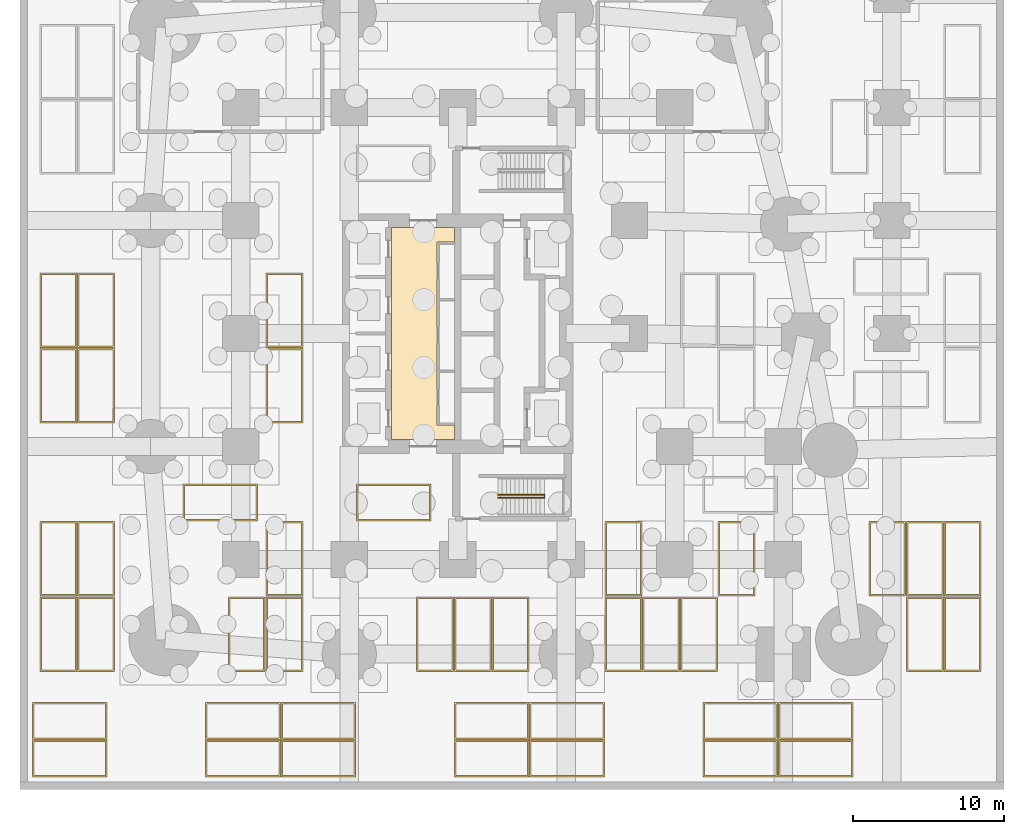
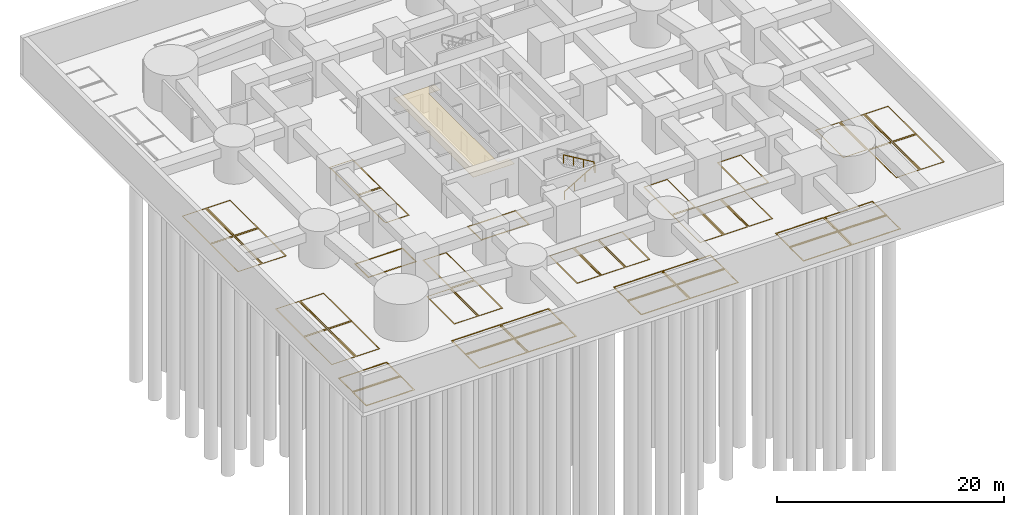
# One storey, part 8 of 10: 43 coverings, 1 railing.
"""IFC4 building model written with IfcOpenShell, lengths in metres."""

from ifc_helpers import new_model, si_unit, direction, frame, origin, origin_2d, place, context, subcontext, project, spatial, polyline, circle, outline, extrude, material, layer, layer_set, type_object, element, save


model = new_model("IFC4")

# Units and contexts
model_context = context("Model", 3, precision=1e-05, world=origin(), true_north=direction((0.0, 1.0)))
body_context = subcontext(model_context, "Body", "Model", "MODEL_VIEW")
ifc_project = project(units=[si_unit("LENGTHUNIT", "METRE"), si_unit("AREAUNIT", "SQUARE_METRE"), si_unit("VOLUMEUNIT", "CUBIC_METRE"), si_unit("PLANEANGLEUNIT", "RADIAN"), si_unit("MASSUNIT", "GRAM", prefix="KILO")], contexts=[model_context])

# Site, building, storey
site_placement = place(None, origin())
site = spatial("IfcSite", under=ifc_project, at=site_placement, CompositionType="ELEMENT")
building_placement = place(site_placement, origin())
building = spatial("IfcBuilding", under=site, at=building_placement, Name="Sheger Commons Tower", CompositionType="ELEMENT")
storey_placement = place(building_placement, frame((0.0, 0.0, -8.0)))
storey = spatial("IfcBuildingStorey", under=building, at=storey_placement, Name="B2", CompositionType="ELEMENT", Elevation=-8.0)

# Railing
ifc_material_1 = material(Name="Steel handrail, black powder-coated", Category="steel")
railing_type = type_object("IfcRailingType", Name="HANDRAIL 900", PredefinedType="HANDRAIL", material=ifc_material_1)
railing_placement = place(storey_placement, frame((24.27001953125, 11.60009765625, 0.166748046875)))
element("IfcRailing", 1, at=railing_placement, inside=storey, type_object=railing_type, Name="Stair S1 handrail B2", PredefinedType="HANDRAIL", context=body_context, shape_type="SweptSolid", body=[
    extrude(circle(Radius=0.02392578125, at=origin_2d()), frame((0.0, 0.0, 0.8759765625), z_axis=(0.859308565015, 0.0, 0.511457515432), x_axis=(0.0, 1.0, 0.0)), (0.0, 0.0, 1.0), 3.58447265625),
    extrude(circle(Radius=0.02392578125, at=origin_2d()), frame((3.080078125, 0.0, 2.708984375), z_axis=(0.0, 0.767990643491, 0.640461061666), x_axis=(-1.0, 0.0, 0.0)), (0.0, 0.0, 1.0), 0.26025390625),
    extrude(circle(Radius=0.02392578125, at=origin_2d()), frame((3.080078125, 0.199951171875, 2.8759765625), z_axis=(-0.859308565015, 0.0, 0.511457515432), x_axis=(0.0, -1.0, 0.0)), (0.0, 0.0, 1.0), 3.58447265625),
    extrude(circle(Radius=0.02099609375, at=origin_2d()), origin(), (0.0, 0.0, 1.0), 0.851806640625),
    extrude(circle(Radius=0.02099609375, at=origin_2d()), frame((1.026611328125, 0.0, 0.611083984375)), (0.0, 0.0, 1.0), 0.851806640625),
    extrude(circle(Radius=0.02099609375, at=origin_2d()), frame((2.053466796875, 0.0, 1.22216796875)), (0.0, 0.0, 1.0), 0.851806640625),
    extrude(circle(Radius=0.02099609375, at=origin_2d()), frame((3.080078125, 0.0, 1.833251953125)), (0.0, 0.0, 1.0), 0.851806640625),
    extrude(circle(Radius=0.02099609375, at=origin_2d()), frame((3.080078125, 0.199951171875, 2.0)), (0.0, 0.0, 1.0), 0.851806640625),
    extrude(circle(Radius=0.02099609375, at=origin_2d()), frame((2.053466796875, 0.199951171875, 2.611083984375)), (0.0, 0.0, 1.0), 0.851806640625),
    extrude(circle(Radius=0.02099609375, at=origin_2d()), frame((1.026611328125, 0.199951171875, 3.22216796875)), (0.0, 0.0, 1.0), 0.851806640625),
    extrude(circle(Radius=0.02099609375, at=origin_2d()), frame((0.0, 0.199951171875, 3.833251953125)), (0.0, 0.0, 1.0), 0.851806640625),
])

# Coverings
ifc_material_2 = material(Name="Thermoplastic road marking, white")
ifc_layer_1 = layer(ifc_material_2, 0.0048828125)
ifc_layer_set_1 = layer_set([ifc_layer_1], Name="PARKING BAY MARKING")
covering_type_1 = type_object("IfcCoveringType", Name="PARKING BAY MARKING", PredefinedType="FLOORING", material=ifc_layer_set_1)
covering_1_placement = place(storey_placement, origin())
element("IfcCovering", 2, at=covering_1_placement, inside=storey, type_object=covering_type_1, Name="Parking bay B2-001 marking", PredefinedType="FLOORING", context=body_context, shape_type="SweptSolid", body=[
    extrude(outline(polyline([(-6.625, -6.925048828125), (-1.675048828125, -6.925048828125), (-1.675048828125, -4.47509765625), (-6.625, -4.47509765625), (-6.625, -6.925048828125)]), holes=[polyline([(-1.77490234375, -4.574951171875), (-1.77490234375, -6.824951171875), (-6.52490234375, -6.824951171875), (-6.52490234375, -4.574951171875), (-1.77490234375, -4.574951171875)])]), origin(), (0.0, 0.0, 1.0), 0.0048828125),
])
covering_2_placement = place(storey_placement, origin())
element("IfcCovering", 3, at=covering_2_placement, inside=storey, type_object=covering_type_1, Name="Parking bay B2-002 marking", PredefinedType="FLOORING", context=body_context, shape_type="SweptSolid", body=[
    extrude(outline(polyline([(4.875, -6.925048828125), (9.824951171875, -6.925048828125), (9.824951171875, -4.47509765625), (4.875, -4.47509765625), (4.875, -6.925048828125)]), holes=[polyline([(9.72509765625, -4.574951171875), (9.72509765625, -6.824951171875), (4.97509765625, -6.824951171875), (4.97509765625, -4.574951171875), (9.72509765625, -4.574951171875)])]), origin(), (0.0, 0.0, 1.0), 0.0048828125),
])
covering_3_placement = place(storey_placement, origin())
element("IfcCovering", 4, at=covering_3_placement, inside=storey, type_object=covering_type_1, Name="Parking bay B2-003 marking", PredefinedType="FLOORING", context=body_context, shape_type="SweptSolid", body=[
    extrude(outline(polyline([(9.875, -6.925048828125), (14.824951171875, -6.925048828125), (14.824951171875, -4.47509765625), (9.875, -4.47509765625), (9.875, -6.925048828125)]), holes=[polyline([(14.72509765625, -4.574951171875), (14.72509765625, -6.824951171875), (9.97509765625, -6.824951171875), (9.97509765625, -4.574951171875), (14.72509765625, -4.574951171875)])]), origin(), (0.0, 0.0, 1.0), 0.0048828125),
])
covering_4_placement = place(storey_placement, origin())
element("IfcCovering", 5, at=covering_4_placement, inside=storey, type_object=covering_type_1, Name="Parking bay B2-004 marking", PredefinedType="FLOORING", context=body_context, shape_type="SweptSolid", body=[
    extrude(outline(polyline([(21.375, -6.925048828125), (26.324951171875, -6.925048828125), (26.324951171875, -4.47509765625), (21.375, -4.47509765625), (21.375, -6.925048828125)]), holes=[polyline([(26.22509765625, -4.574951171875), (26.22509765625, -6.824951171875), (21.47509765625, -6.824951171875), (21.47509765625, -4.574951171875), (26.22509765625, -4.574951171875)])]), origin(), (0.0, 0.0, 1.0), 0.0048828125),
])
covering_5_placement = place(storey_placement, origin())
element("IfcCovering", 6, at=covering_5_placement, inside=storey, type_object=covering_type_1, Name="Parking bay B2-005 marking", PredefinedType="FLOORING", context=body_context, shape_type="SweptSolid", body=[
    extrude(outline(polyline([(26.375, -6.925048828125), (31.324951171875, -6.925048828125), (31.324951171875, -4.47509765625), (26.375, -4.47509765625), (26.375, -6.925048828125)]), holes=[polyline([(31.22509765625, -4.574951171875), (31.22509765625, -6.824951171875), (26.47509765625, -6.824951171875), (26.47509765625, -4.574951171875), (31.22509765625, -4.574951171875)])]), origin(), (0.0, 0.0, 1.0), 0.0048828125),
])
covering_6_placement = place(storey_placement, origin())
element("IfcCovering", 7, at=covering_6_placement, inside=storey, type_object=covering_type_1, Name="Parking bay B2-006 marking", PredefinedType="FLOORING", context=body_context, shape_type="SweptSolid", body=[
    extrude(outline(polyline([(37.875, -6.925048828125), (42.824951171875, -6.925048828125), (42.824951171875, -4.47509765625), (37.875, -4.47509765625), (37.875, -6.925048828125)]), holes=[polyline([(42.72509765625, -4.574951171875), (42.72509765625, -6.824951171875), (37.97509765625, -6.824951171875), (37.97509765625, -4.574951171875), (42.72509765625, -4.574951171875)])]), origin(), (0.0, 0.0, 1.0), 0.0048828125),
])
covering_7_placement = place(storey_placement, origin())
element("IfcCovering", 8, at=covering_7_placement, inside=storey, type_object=covering_type_1, Name="Parking bay B2-007 marking", PredefinedType="FLOORING", context=body_context, shape_type="SweptSolid", body=[
    extrude(outline(polyline([(42.875, -6.925048828125), (47.824951171875, -6.925048828125), (47.824951171875, -4.47509765625), (42.875, -4.47509765625), (42.875, -6.925048828125)]), holes=[polyline([(47.72509765625, -4.574951171875), (47.72509765625, -6.824951171875), (42.97509765625, -6.824951171875), (42.97509765625, -4.574951171875), (47.72509765625, -4.574951171875)])]), origin(), (0.0, 0.0, 1.0), 0.0048828125),
])
covering_8_placement = place(storey_placement, origin())
element("IfcCovering", 9, at=covering_8_placement, inside=storey, type_object=covering_type_1, Name="Parking bay B2-008 marking", PredefinedType="FLOORING", context=body_context, shape_type="SweptSolid", body=[
    extrude(outline(polyline([(-6.625, -4.425048828125), (-1.675048828125, -4.425048828125), (-1.675048828125, -1.97509765625), (-6.625, -1.97509765625), (-6.625, -4.425048828125)]), holes=[polyline([(-1.77490234375, -2.074951171875), (-1.77490234375, -4.324951171875), (-6.52490234375, -4.324951171875), (-6.52490234375, -2.074951171875), (-1.77490234375, -2.074951171875)])]), origin(), (0.0, 0.0, 1.0), 0.0048828125),
])
covering_9_placement = place(storey_placement, origin())
element("IfcCovering", 10, at=covering_9_placement, inside=storey, type_object=covering_type_1, Name="Parking bay B2-009 marking", PredefinedType="FLOORING", context=body_context, shape_type="SweptSolid", body=[
    extrude(outline(polyline([(4.875, -4.425048828125), (9.824951171875, -4.425048828125), (9.824951171875, -1.97509765625), (4.875, -1.97509765625), (4.875, -4.425048828125)]), holes=[polyline([(9.72509765625, -2.074951171875), (9.72509765625, -4.324951171875), (4.97509765625, -4.324951171875), (4.97509765625, -2.074951171875), (9.72509765625, -2.074951171875)])]), origin(), (0.0, 0.0, 1.0), 0.0048828125),
])
covering_10_placement = place(storey_placement, origin())
element("IfcCovering", 11, at=covering_10_placement, inside=storey, type_object=covering_type_1, Name="Parking bay B2-010 marking", PredefinedType="FLOORING", context=body_context, shape_type="SweptSolid", body=[
    extrude(outline(polyline([(9.875, -4.425048828125), (14.824951171875, -4.425048828125), (14.824951171875, -1.97509765625), (9.875, -1.97509765625), (9.875, -4.425048828125)]), holes=[polyline([(14.72509765625, -2.074951171875), (14.72509765625, -4.324951171875), (9.97509765625, -4.324951171875), (9.97509765625, -2.074951171875), (14.72509765625, -2.074951171875)])]), origin(), (0.0, 0.0, 1.0), 0.0048828125),
])
covering_11_placement = place(storey_placement, origin())
element("IfcCovering", 12, at=covering_11_placement, inside=storey, type_object=covering_type_1, Name="Parking bay B2-011 marking", PredefinedType="FLOORING", context=body_context, shape_type="SweptSolid", body=[
    extrude(outline(polyline([(21.375, -4.425048828125), (26.324951171875, -4.425048828125), (26.324951171875, -1.97509765625), (21.375, -1.97509765625), (21.375, -4.425048828125)]), holes=[polyline([(26.22509765625, -2.074951171875), (26.22509765625, -4.324951171875), (21.47509765625, -4.324951171875), (21.47509765625, -2.074951171875), (26.22509765625, -2.074951171875)])]), origin(), (0.0, 0.0, 1.0), 0.0048828125),
])
covering_12_placement = place(storey_placement, origin())
element("IfcCovering", 13, at=covering_12_placement, inside=storey, type_object=covering_type_1, Name="Parking bay B2-012 marking", PredefinedType="FLOORING", context=body_context, shape_type="SweptSolid", body=[
    extrude(outline(polyline([(26.375, -4.425048828125), (31.324951171875, -4.425048828125), (31.324951171875, -1.97509765625), (26.375, -1.97509765625), (26.375, -4.425048828125)]), holes=[polyline([(31.22509765625, -2.074951171875), (31.22509765625, -4.324951171875), (26.47509765625, -4.324951171875), (26.47509765625, -2.074951171875), (31.22509765625, -2.074951171875)])]), origin(), (0.0, 0.0, 1.0), 0.0048828125),
])
covering_13_placement = place(storey_placement, origin())
element("IfcCovering", 14, at=covering_13_placement, inside=storey, type_object=covering_type_1, Name="Parking bay B2-013 marking", PredefinedType="FLOORING", context=body_context, shape_type="SweptSolid", body=[
    extrude(outline(polyline([(37.875, -4.425048828125), (42.824951171875, -4.425048828125), (42.824951171875, -1.97509765625), (37.875, -1.97509765625), (37.875, -4.425048828125)]), holes=[polyline([(42.72509765625, -2.074951171875), (42.72509765625, -4.324951171875), (37.97509765625, -4.324951171875), (37.97509765625, -2.074951171875), (42.72509765625, -2.074951171875)])]), origin(), (0.0, 0.0, 1.0), 0.0048828125),
])
covering_14_placement = place(storey_placement, origin())
element("IfcCovering", 15, at=covering_14_placement, inside=storey, type_object=covering_type_1, Name="Parking bay B2-014 marking", PredefinedType="FLOORING", context=body_context, shape_type="SweptSolid", body=[
    extrude(outline(polyline([(42.875, -4.425048828125), (47.824951171875, -4.425048828125), (47.824951171875, -1.97509765625), (42.875, -1.97509765625), (42.875, -4.425048828125)]), holes=[polyline([(47.72509765625, -2.074951171875), (47.72509765625, -4.324951171875), (42.97509765625, -4.324951171875), (42.97509765625, -2.074951171875), (47.72509765625, -2.074951171875)])]), origin(), (0.0, 0.0, 1.0), 0.0048828125),
])
covering_15_placement = place(storey_placement, origin())
element("IfcCovering", 16, at=covering_15_placement, inside=storey, type_object=covering_type_1, Name="Parking bay B2-015 marking", PredefinedType="FLOORING", context=body_context, shape_type="SweptSolid", body=[
    extrude(outline(polyline([(-6.125, 0.074951171875), (-3.675048828125, 0.074951171875), (-3.675048828125, 5.02490234375), (-6.125, 5.02490234375), (-6.125, 0.074951171875)]), holes=[polyline([(-3.77490234375, 4.925048828125), (-3.77490234375, 0.175048828125), (-6.02490234375, 0.175048828125), (-6.02490234375, 4.925048828125), (-3.77490234375, 4.925048828125)])]), origin(), (0.0, 0.0, 1.0), 0.0048828125),
])
covering_16_placement = place(storey_placement, origin())
element("IfcCovering", 17, at=covering_16_placement, inside=storey, type_object=covering_type_1, Name="Parking bay B2-016 marking", PredefinedType="FLOORING", context=body_context, shape_type="SweptSolid", body=[
    extrude(outline(polyline([(-3.625, 0.074951171875), (-1.175048828125, 0.074951171875), (-1.175048828125, 5.02490234375), (-3.625, 5.02490234375), (-3.625, 0.074951171875)]), holes=[polyline([(-1.27490234375, 4.925048828125), (-1.27490234375, 0.175048828125), (-3.52490234375, 0.175048828125), (-3.52490234375, 4.925048828125), (-1.27490234375, 4.925048828125)])]), origin(), (0.0, 0.0, 1.0), 0.0048828125),
])
covering_17_placement = place(storey_placement, origin())
element("IfcCovering", 18, at=covering_17_placement, inside=storey, type_object=covering_type_1, Name="Parking bay B2-017 marking", PredefinedType="FLOORING", context=body_context, shape_type="SweptSolid", body=[
    extrude(outline(polyline([(6.375, 0.074951171875), (8.824951171875, 0.074951171875), (8.824951171875, 5.02490234375), (6.375, 5.02490234375), (6.375, 0.074951171875)]), holes=[polyline([(8.72509765625, 4.925048828125), (8.72509765625, 0.175048828125), (6.47509765625, 0.175048828125), (6.47509765625, 4.925048828125), (8.72509765625, 4.925048828125)])]), origin(), (0.0, 0.0, 1.0), 0.0048828125),
])
covering_18_placement = place(storey_placement, origin())
element("IfcCovering", 19, at=covering_18_placement, inside=storey, type_object=covering_type_1, Name="Parking bay B2-018 marking", PredefinedType="FLOORING", context=body_context, shape_type="SweptSolid", body=[
    extrude(outline(polyline([(8.875, 0.074951171875), (11.324951171875, 0.074951171875), (11.324951171875, 5.02490234375), (8.875, 5.02490234375), (8.875, 0.074951171875)]), holes=[polyline([(11.22509765625, 4.925048828125), (11.22509765625, 0.175048828125), (8.97509765625, 0.175048828125), (8.97509765625, 4.925048828125), (11.22509765625, 4.925048828125)])]), origin(), (0.0, 0.0, 1.0), 0.0048828125),
])
covering_19_placement = place(storey_placement, origin())
element("IfcCovering", 20, at=covering_19_placement, inside=storey, type_object=covering_type_1, Name="Parking bay B2-019 marking", PredefinedType="FLOORING", context=body_context, shape_type="SweptSolid", body=[
    extrude(outline(polyline([(18.875, 0.074951171875), (21.324951171875, 0.074951171875), (21.324951171875, 5.02490234375), (18.875, 5.02490234375), (18.875, 0.074951171875)]), holes=[polyline([(21.22509765625, 4.925048828125), (21.22509765625, 0.175048828125), (18.97509765625, 0.175048828125), (18.97509765625, 4.925048828125), (21.22509765625, 4.925048828125)])]), origin(), (0.0, 0.0, 1.0), 0.0048828125),
])
covering_20_placement = place(storey_placement, origin())
element("IfcCovering", 21, at=covering_20_placement, inside=storey, type_object=covering_type_1, Name="Parking bay B2-020 marking", PredefinedType="FLOORING", context=body_context, shape_type="SweptSolid", body=[
    extrude(outline(polyline([(21.375, 0.074951171875), (23.824951171875, 0.074951171875), (23.824951171875, 5.02490234375), (21.375, 5.02490234375), (21.375, 0.074951171875)]), holes=[polyline([(23.72509765625, 4.925048828125), (23.72509765625, 0.175048828125), (21.47509765625, 0.175048828125), (21.47509765625, 4.925048828125), (23.72509765625, 4.925048828125)])]), origin(), (0.0, 0.0, 1.0), 0.0048828125),
])
covering_21_placement = place(storey_placement, origin())
element("IfcCovering", 22, at=covering_21_placement, inside=storey, type_object=covering_type_1, Name="Parking bay B2-021 marking", PredefinedType="FLOORING", context=body_context, shape_type="SweptSolid", body=[
    extrude(outline(polyline([(23.875, 0.074951171875), (26.324951171875, 0.074951171875), (26.324951171875, 5.02490234375), (23.875, 5.02490234375), (23.875, 0.074951171875)]), holes=[polyline([(26.22509765625, 4.925048828125), (26.22509765625, 0.175048828125), (23.97509765625, 0.175048828125), (23.97509765625, 4.925048828125), (26.22509765625, 4.925048828125)])]), origin(), (0.0, 0.0, 1.0), 0.0048828125),
])
covering_22_placement = place(storey_placement, origin())
element("IfcCovering", 23, at=covering_22_placement, inside=storey, type_object=covering_type_1, Name="Parking bay B2-022 marking", PredefinedType="FLOORING", context=body_context, shape_type="SweptSolid", body=[
    extrude(outline(polyline([(31.375, 0.074951171875), (33.824951171875, 0.074951171875), (33.824951171875, 5.02490234375), (31.375, 5.02490234375), (31.375, 0.074951171875)]), holes=[polyline([(33.72509765625, 4.925048828125), (33.72509765625, 0.175048828125), (31.47509765625, 0.175048828125), (31.47509765625, 4.925048828125), (33.72509765625, 4.925048828125)])]), origin(), (0.0, 0.0, 1.0), 0.0048828125),
])
covering_23_placement = place(storey_placement, origin())
element("IfcCovering", 24, at=covering_23_placement, inside=storey, type_object=covering_type_1, Name="Parking bay B2-023 marking", PredefinedType="FLOORING", context=body_context, shape_type="SweptSolid", body=[
    extrude(outline(polyline([(33.875, 0.074951171875), (36.324951171875, 0.074951171875), (36.324951171875, 5.02490234375), (33.875, 5.02490234375), (33.875, 0.074951171875)]), holes=[polyline([(36.22509765625, 4.925048828125), (36.22509765625, 0.175048828125), (33.97509765625, 0.175048828125), (33.97509765625, 4.925048828125), (36.22509765625, 4.925048828125)])]), origin(), (0.0, 0.0, 1.0), 0.0048828125),
])
covering_24_placement = place(storey_placement, origin())
element("IfcCovering", 25, at=covering_24_placement, inside=storey, type_object=covering_type_1, Name="Parking bay B2-024 marking", PredefinedType="FLOORING", context=body_context, shape_type="SweptSolid", body=[
    extrude(outline(polyline([(36.375, 0.074951171875), (38.824951171875, 0.074951171875), (38.824951171875, 5.02490234375), (36.375, 5.02490234375), (36.375, 0.074951171875)]), holes=[polyline([(38.72509765625, 4.925048828125), (38.72509765625, 0.175048828125), (36.47509765625, 0.175048828125), (36.47509765625, 4.925048828125), (38.72509765625, 4.925048828125)])]), origin(), (0.0, 0.0, 1.0), 0.0048828125),
])
covering_25_placement = place(storey_placement, origin())
element("IfcCovering", 26, at=covering_25_placement, inside=storey, type_object=covering_type_1, Name="Parking bay B2-025 marking", PredefinedType="FLOORING", context=body_context, shape_type="SweptSolid", body=[
    extrude(outline(polyline([(51.375, 0.074951171875), (53.824951171875, 0.074951171875), (53.824951171875, 5.02490234375), (51.375, 5.02490234375), (51.375, 0.074951171875)]), holes=[polyline([(53.72509765625, 4.925048828125), (53.72509765625, 0.175048828125), (51.47509765625, 0.175048828125), (51.47509765625, 4.925048828125), (53.72509765625, 4.925048828125)])]), origin(), (0.0, 0.0, 1.0), 0.0048828125),
])
covering_26_placement = place(storey_placement, origin())
element("IfcCovering", 27, at=covering_26_placement, inside=storey, type_object=covering_type_1, Name="Parking bay B2-026 marking", PredefinedType="FLOORING", context=body_context, shape_type="SweptSolid", body=[
    extrude(outline(polyline([(53.875, 0.074951171875), (56.324951171875, 0.074951171875), (56.324951171875, 5.02490234375), (53.875, 5.02490234375), (53.875, 0.074951171875)]), holes=[polyline([(56.22509765625, 4.925048828125), (56.22509765625, 0.175048828125), (53.97509765625, 0.175048828125), (53.97509765625, 4.925048828125), (56.22509765625, 4.925048828125)])]), origin(), (0.0, 0.0, 1.0), 0.0048828125),
])
covering_27_placement = place(storey_placement, origin())
element("IfcCovering", 28, at=covering_27_placement, inside=storey, type_object=covering_type_1, Name="Parking bay B2-027 marking", PredefinedType="FLOORING", context=body_context, shape_type="SweptSolid", body=[
    extrude(outline(polyline([(-6.125, 5.074951171875), (-3.675048828125, 5.074951171875), (-3.675048828125, 10.02490234375), (-6.125, 10.02490234375), (-6.125, 5.074951171875)]), holes=[polyline([(-3.77490234375, 9.925048828125), (-3.77490234375, 5.175048828125), (-6.02490234375, 5.175048828125), (-6.02490234375, 9.925048828125), (-3.77490234375, 9.925048828125)])]), origin(), (0.0, 0.0, 1.0), 0.0048828125),
])
covering_28_placement = place(storey_placement, origin())
element("IfcCovering", 29, at=covering_28_placement, inside=storey, type_object=covering_type_1, Name="Parking bay B2-028 marking", PredefinedType="FLOORING", context=body_context, shape_type="SweptSolid", body=[
    extrude(outline(polyline([(-3.625, 5.074951171875), (-1.175048828125, 5.074951171875), (-1.175048828125, 10.02490234375), (-3.625, 10.02490234375), (-3.625, 5.074951171875)]), holes=[polyline([(-1.27490234375, 9.925048828125), (-1.27490234375, 5.175048828125), (-3.52490234375, 5.175048828125), (-3.52490234375, 9.925048828125), (-1.27490234375, 9.925048828125)])]), origin(), (0.0, 0.0, 1.0), 0.0048828125),
])
covering_29_placement = place(storey_placement, origin())
element("IfcCovering", 30, at=covering_29_placement, inside=storey, type_object=covering_type_1, Name="Parking bay B2-029 marking", PredefinedType="FLOORING", context=body_context, shape_type="SweptSolid", body=[
    extrude(outline(polyline([(8.875, 5.074951171875), (11.324951171875, 5.074951171875), (11.324951171875, 10.02490234375), (8.875, 10.02490234375), (8.875, 5.074951171875)]), holes=[polyline([(11.22509765625, 9.925048828125), (11.22509765625, 5.175048828125), (8.97509765625, 5.175048828125), (8.97509765625, 9.925048828125), (11.22509765625, 9.925048828125)])]), origin(), (0.0, 0.0, 1.0), 0.0048828125),
])
covering_30_placement = place(storey_placement, origin())
element("IfcCovering", 31, at=covering_30_placement, inside=storey, type_object=covering_type_1, Name="Parking bay B2-030 marking", PredefinedType="FLOORING", context=body_context, shape_type="SweptSolid", body=[
    extrude(outline(polyline([(31.375, 5.074951171875), (33.824951171875, 5.074951171875), (33.824951171875, 10.02490234375), (31.375, 10.02490234375), (31.375, 5.074951171875)]), holes=[polyline([(33.72509765625, 9.925048828125), (33.72509765625, 5.175048828125), (31.47509765625, 5.175048828125), (31.47509765625, 9.925048828125), (33.72509765625, 9.925048828125)])]), origin(), (0.0, 0.0, 1.0), 0.0048828125),
])
covering_31_placement = place(storey_placement, origin())
element("IfcCovering", 32, at=covering_31_placement, inside=storey, type_object=covering_type_1, Name="Parking bay B2-031 marking", PredefinedType="FLOORING", context=body_context, shape_type="SweptSolid", body=[
    extrude(outline(polyline([(38.875, 5.074951171875), (41.324951171875, 5.074951171875), (41.324951171875, 10.02490234375), (38.875, 10.02490234375), (38.875, 5.074951171875)]), holes=[polyline([(41.22509765625, 9.925048828125), (41.22509765625, 5.175048828125), (38.97509765625, 5.175048828125), (38.97509765625, 9.925048828125), (41.22509765625, 9.925048828125)])]), origin(), (0.0, 0.0, 1.0), 0.0048828125),
])
covering_32_placement = place(storey_placement, origin())
element("IfcCovering", 33, at=covering_32_placement, inside=storey, type_object=covering_type_1, Name="Parking bay B2-032 marking", PredefinedType="FLOORING", context=body_context, shape_type="SweptSolid", body=[
    extrude(outline(polyline([(48.875, 5.074951171875), (51.324951171875, 5.074951171875), (51.324951171875, 10.02490234375), (48.875, 10.02490234375), (48.875, 5.074951171875)]), holes=[polyline([(51.22509765625, 9.925048828125), (51.22509765625, 5.175048828125), (48.97509765625, 5.175048828125), (48.97509765625, 9.925048828125), (51.22509765625, 9.925048828125)])]), origin(), (0.0, 0.0, 1.0), 0.0048828125),
])
covering_33_placement = place(storey_placement, origin())
element("IfcCovering", 34, at=covering_33_placement, inside=storey, type_object=covering_type_1, Name="Parking bay B2-033 marking", PredefinedType="FLOORING", context=body_context, shape_type="SweptSolid", body=[
    extrude(outline(polyline([(51.375, 5.074951171875), (53.824951171875, 5.074951171875), (53.824951171875, 10.02490234375), (51.375, 10.02490234375), (51.375, 5.074951171875)]), holes=[polyline([(53.72509765625, 9.925048828125), (53.72509765625, 5.175048828125), (51.47509765625, 5.175048828125), (51.47509765625, 9.925048828125), (53.72509765625, 9.925048828125)])]), origin(), (0.0, 0.0, 1.0), 0.0048828125),
])
covering_34_placement = place(storey_placement, origin())
element("IfcCovering", 35, at=covering_34_placement, inside=storey, type_object=covering_type_1, Name="Parking bay B2-034 marking", PredefinedType="FLOORING", context=body_context, shape_type="SweptSolid", body=[
    extrude(outline(polyline([(53.875, 5.074951171875), (56.324951171875, 5.074951171875), (56.324951171875, 10.02490234375), (53.875, 10.02490234375), (53.875, 5.074951171875)]), holes=[polyline([(56.22509765625, 9.925048828125), (56.22509765625, 5.175048828125), (53.97509765625, 5.175048828125), (53.97509765625, 9.925048828125), (56.22509765625, 9.925048828125)])]), origin(), (0.0, 0.0, 1.0), 0.0048828125),
])
covering_35_placement = place(storey_placement, origin())
element("IfcCovering", 36, at=covering_35_placement, inside=storey, type_object=covering_type_1, Name="Parking bay B2-035 marking", PredefinedType="FLOORING", context=body_context, shape_type="SweptSolid", body=[
    extrude(outline(polyline([(3.375, 10.074951171875), (8.324951171875, 10.074951171875), (8.324951171875, 12.52490234375), (3.375, 12.52490234375), (3.375, 10.074951171875)]), holes=[polyline([(8.22509765625, 12.425048828125), (8.22509765625, 10.175048828125), (3.47509765625, 10.175048828125), (3.47509765625, 12.425048828125), (8.22509765625, 12.425048828125)])]), origin(), (0.0, 0.0, 1.0), 0.0048828125),
])
covering_36_placement = place(storey_placement, origin())
element("IfcCovering", 37, at=covering_36_placement, inside=storey, type_object=covering_type_1, Name="Parking bay B2-036 marking", PredefinedType="FLOORING", context=body_context, shape_type="SweptSolid", body=[
    extrude(outline(polyline([(14.875, 10.074951171875), (19.824951171875, 10.074951171875), (19.824951171875, 12.52490234375), (14.875, 12.52490234375), (14.875, 10.074951171875)]), holes=[polyline([(19.72509765625, 12.425048828125), (19.72509765625, 10.175048828125), (14.97509765625, 10.175048828125), (14.97509765625, 12.425048828125), (19.72509765625, 12.425048828125)])]), origin(), (0.0, 0.0, 1.0), 0.0048828125),
])
covering_37_placement = place(storey_placement, origin())
element("IfcCovering", 38, at=covering_37_placement, inside=storey, type_object=covering_type_1, Name="Parking bay B2-038 marking", PredefinedType="FLOORING", context=body_context, shape_type="SweptSolid", body=[
    extrude(outline(polyline([(-6.125, 16.574951171875), (-3.675048828125, 16.574951171875), (-3.675048828125, 21.52490234375), (-6.125, 21.52490234375), (-6.125, 16.574951171875)]), holes=[polyline([(-3.77490234375, 21.425048828125), (-3.77490234375, 16.675048828125), (-6.02490234375, 16.675048828125), (-6.02490234375, 21.425048828125), (-3.77490234375, 21.425048828125)])]), origin(), (0.0, 0.0, 1.0), 0.0048828125),
])
covering_38_placement = place(storey_placement, origin())
element("IfcCovering", 39, at=covering_38_placement, inside=storey, type_object=covering_type_1, Name="Parking bay B2-039 marking", PredefinedType="FLOORING", context=body_context, shape_type="SweptSolid", body=[
    extrude(outline(polyline([(-3.625, 16.574951171875), (-1.175048828125, 16.574951171875), (-1.175048828125, 21.52490234375), (-3.625, 21.52490234375), (-3.625, 16.574951171875)]), holes=[polyline([(-1.27490234375, 21.425048828125), (-1.27490234375, 16.675048828125), (-3.52490234375, 16.675048828125), (-3.52490234375, 21.425048828125), (-1.27490234375, 21.425048828125)])]), origin(), (0.0, 0.0, 1.0), 0.0048828125),
])
covering_39_placement = place(storey_placement, origin())
element("IfcCovering", 40, at=covering_39_placement, inside=storey, type_object=covering_type_1, Name="Parking bay B2-040 marking", PredefinedType="FLOORING", context=body_context, shape_type="SweptSolid", body=[
    extrude(outline(polyline([(8.875, 16.574951171875), (11.324951171875, 16.574951171875), (11.324951171875, 21.52490234375), (8.875, 21.52490234375), (8.875, 16.574951171875)]), holes=[polyline([(11.22509765625, 21.425048828125), (11.22509765625, 16.675048828125), (8.97509765625, 16.675048828125), (8.97509765625, 21.425048828125), (11.22509765625, 21.425048828125)])]), origin(), (0.0, 0.0, 1.0), 0.0048828125),
])
covering_40_placement = place(storey_placement, origin())
element("IfcCovering", 41, at=covering_40_placement, inside=storey, type_object=covering_type_1, Name="Parking bay B2-044 marking", PredefinedType="FLOORING", context=body_context, shape_type="SweptSolid", body=[
    extrude(outline(polyline([(-6.125, 21.574951171875), (-3.675048828125, 21.574951171875), (-3.675048828125, 26.52490234375), (-6.125, 26.52490234375), (-6.125, 21.574951171875)]), holes=[polyline([(-3.77490234375, 26.425048828125), (-3.77490234375, 21.675048828125), (-6.02490234375, 21.675048828125), (-6.02490234375, 26.425048828125), (-3.77490234375, 26.425048828125)])]), origin(), (0.0, 0.0, 1.0), 0.0048828125),
])
covering_41_placement = place(storey_placement, origin())
element("IfcCovering", 42, at=covering_41_placement, inside=storey, type_object=covering_type_1, Name="Parking bay B2-045 marking", PredefinedType="FLOORING", context=body_context, shape_type="SweptSolid", body=[
    extrude(outline(polyline([(-3.625, 21.574951171875), (-1.175048828125, 21.574951171875), (-1.175048828125, 26.52490234375), (-3.625, 26.52490234375), (-3.625, 21.574951171875)]), holes=[polyline([(-1.27490234375, 26.425048828125), (-1.27490234375, 21.675048828125), (-3.52490234375, 21.675048828125), (-3.52490234375, 26.425048828125), (-1.27490234375, 26.425048828125)])]), origin(), (0.0, 0.0, 1.0), 0.0048828125),
])
covering_42_placement = place(storey_placement, origin())
element("IfcCovering", 43, at=covering_42_placement, inside=storey, type_object=covering_type_1, Name="Parking bay B2-046 marking", PredefinedType="FLOORING", context=body_context, shape_type="SweptSolid", body=[
    extrude(outline(polyline([(8.875, 21.574951171875), (11.324951171875, 21.574951171875), (11.324951171875, 26.52490234375), (8.875, 26.52490234375), (8.875, 21.574951171875)]), holes=[polyline([(11.22509765625, 26.425048828125), (11.22509765625, 21.675048828125), (8.97509765625, 21.675048828125), (8.97509765625, 26.425048828125), (11.22509765625, 26.425048828125)])]), origin(), (0.0, 0.0, 1.0), 0.0048828125),
])
ifc_material_3 = material(Name="Gypsum plasterboard 15 mm on a suspended steel grid", Category="steel")
ifc_layer_2 = layer(ifc_material_3, 0.014892578125)
ifc_layer_set_2 = layer_set([ifc_layer_2], Name="SUSPENDED CEILING 15")
covering_type_2 = type_object("IfcCoveringType", Name="SUSPENDED CEILING 15", PredefinedType="CEILING", material=ifc_layer_set_2)
covering_43_placement = place(storey_placement, frame((0.0, 0.0, 2.699951171875)))
element("IfcCovering", 44, at=covering_43_placement, inside=storey, type_object=covering_type_2, Name="B2-LL ceiling", PredefinedType="CEILING", context=body_context, shape_type="SweptSolid", body=[
    extrude(outline(polyline([(17.205078125, 15.455078125), (21.39990234375, 15.455078125), (21.39990234375, 16.43310546875), (20.35791015625, 16.43310546875), (20.23291015625, 16.43310546875), (20.23291015625, 28.56689453125), (20.35791015625, 28.56689453125), (21.39990234375, 28.56689453125), (21.39990234375, 29.544921875), (17.205078125, 29.544921875), (17.205078125, 15.455078125)])), origin(), (0.0, 0.0, 1.0), 0.01513671875),
])

save(model, "model.ifc")
